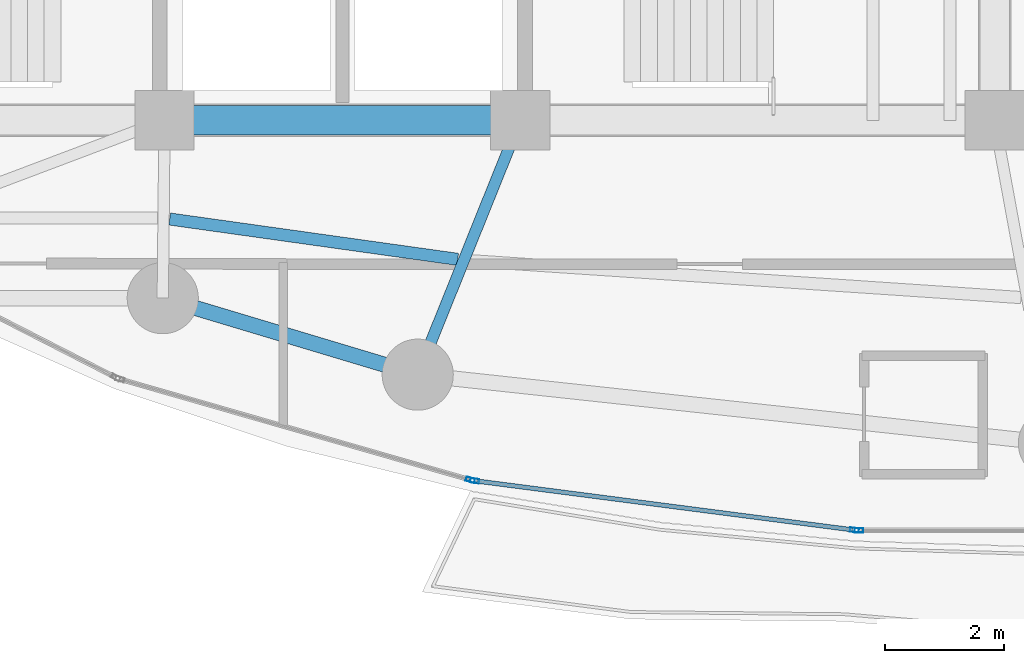
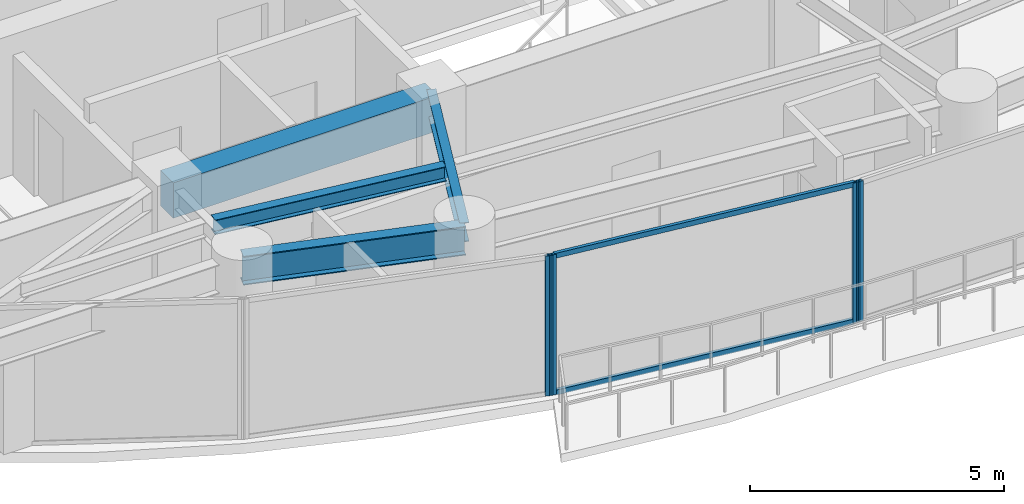
# One storey, part 5 of 28: 6 members, 4 beams, 3 elements without a shape of their own.
"""IFC4 building model written with IfcOpenShell, lengths in metres."""

from ifc_helpers import new_model, si_unit, direction, frame, origin, origin_2d, place, context, subcontext, project, spatial, rectangle, hollow_rectangle, i_section, extrude, material, layer, layer_set, material_profile, profile_set, type_object, element, aggregate, save


model = new_model("IFC4")

# Units and contexts
model_context = context("Model", 3, precision=1e-05, world=origin(), true_north=direction((0.0, 1.0)))
body_context = subcontext(model_context, "Body", "Model", "MODEL_VIEW")
ifc_project = project(units=[si_unit("LENGTHUNIT", "METRE"), si_unit("AREAUNIT", "SQUARE_METRE"), si_unit("VOLUMEUNIT", "CUBIC_METRE"), si_unit("PLANEANGLEUNIT", "RADIAN"), si_unit("MASSUNIT", "GRAM", prefix="KILO")], contexts=[model_context])

# Site, building, storey
site_placement = place(None, origin())
site = spatial("IfcSite", under=ifc_project, at=site_placement, CompositionType="ELEMENT")
building_placement = place(site_placement, origin())
building = spatial("IfcBuilding", under=site, at=building_placement, Name="Kazevale Care Tower and Concert Hall", CompositionType="ELEMENT")
storey_placement = place(building_placement, frame((0.0, 0.0, 106.199951171875)))
storey = spatial("IfcBuildingStorey", under=building, at=storey_placement, Name="L27", CompositionType="ELEMENT", Elevation=106.199951171875)

# Curtain wall, member
ifc_material_1 = material(Name="Aluminium 6063-T6 and Low-E Glass", Category="aluminium")
ifc_layer = layer(ifc_material_1, 0.179931640625)
ifc_layer_set = layer_set([ifc_layer], Name="Aluminium 6063-T6 and Low-E Glass")
curtain_wall_type = type_object("IfcCurtainWallType", Name="Sheltered Concave Balcony Curtain Wall CW-5", PredefinedType="NOTDEFINED", material=ifc_layer_set)
curtain_wall_1_placement = place(storey_placement, origin())
curtain_wall_1 = element("IfcCurtainWall", 1, at=curtain_wall_1_placement, inside=storey, type_object=curtain_wall_type, Name="cw:L27:f06", PredefinedType="NOTDEFINED")
ifc_material_2 = material(Name="Aluminium 6063-T6", Category="aluminium")
ifc_material_profile_1 = material_profile(ifc_material_2, hollow_rectangle(XDim=0.074951171875, YDim=0.14990234375, WallThickness=0.00390625, at=origin_2d()), Name="ALU75x150x4")
ifc_profile_set_1 = profile_set([ifc_material_profile_1], Name="Aluminium 6063-T6")
member_type_1 = type_object("IfcMemberType", Name="CW-5 Mullion ALU75x150x4", PredefinedType="MULLION", material=ifc_profile_set_1)
member_1_placement = place(storey_placement, frame((41.71240234375, 16.68408203125, 0.0), z_axis=(0.0, 0.0, 1.0), x_axis=(0.0, -1.0, 0.0)))
member_1 = element("IfcMember", 2, at=member_1_placement, type_object=member_type_1, Name="CW-5 mullion 2", PredefinedType="MULLION", context=body_context, shape_type="SweptSolid", body=[
    extrude(hollow_rectangle(XDim=0.074951171875, YDim=0.14990234375, WallThickness=0.00390625, at=origin_2d()), origin(), (0.0, 0.0, 1.0), 3.360107421875),
])
aggregate(curtain_wall_1, [member_1])

# Curtain wall, members
curtain_wall_2_placement = place(storey_placement, origin())
curtain_wall_2 = element("IfcCurtainWall", 3, at=curtain_wall_2_placement, inside=storey, type_object=curtain_wall_type, Name="cw:L27:f07", PredefinedType="NOTDEFINED")
member_2_placement = place(storey_placement, frame((41.6376953125, 16.688720703125, 0.0), z_axis=(0.0, 0.0, 1.0), x_axis=(-0.12868500567, -0.991685519364, 0.0)))
member_2 = element("IfcMember", 4, at=member_2_placement, type_object=member_type_1, Name="CW-5 mullion 1", PredefinedType="MULLION", context=body_context, shape_type="SweptSolid", body=[
    extrude(hollow_rectangle(XDim=0.074951171875, YDim=0.14990234375, WallThickness=0.00390625, at=origin_2d()), origin(), (0.0, 0.0, 1.0), 3.360107421875),
])
member_3_placement = place(storey_placement, frame((35.231201171875, 17.520263671875, 0.0), z_axis=(0.0, 0.0, 1.0), x_axis=(-0.12868500567, -0.991685519364, 0.0)))
member_3 = element("IfcMember", 5, at=member_3_placement, type_object=member_type_1, Name="CW-5 mullion 2", PredefinedType="MULLION", context=body_context, shape_type="SweptSolid", body=[
    extrude(hollow_rectangle(XDim=0.074951171875, YDim=0.14990234375, WallThickness=0.00390625, at=origin_2d()), origin(), (0.0, 0.0, 1.0), 3.360107421875),
])

# Curtain wall, member
curtain_wall_3_placement = place(storey_placement, origin())
curtain_wall_3 = element("IfcCurtainWall", 6, at=curtain_wall_3_placement, inside=storey, type_object=curtain_wall_type, Name="cw:L27:f08", PredefinedType="NOTDEFINED")
member_4_placement = place(storey_placement, frame((35.157958984375, 17.535400390625, 0.0), z_axis=(0.0, 0.0, 1.0), x_axis=(-0.276290733172, -0.961074102639, 0.0)))
member_4 = element("IfcMember", 7, at=member_4_placement, type_object=member_type_1, Name="CW-5 mullion 1", PredefinedType="MULLION", context=body_context, shape_type="SweptSolid", body=[
    extrude(hollow_rectangle(XDim=0.074951171875, YDim=0.14990234375, WallThickness=0.00390625, at=origin_2d()), origin(), (0.0, 0.0, 1.0), 3.360107421875),
])
aggregate(curtain_wall_3, [member_4])

# Member
ifc_material_profile_2 = material_profile(ifc_material_2, hollow_rectangle(XDim=0.074951171875, YDim=0.1201171875, WallThickness=0.00390625, at=origin_2d()), Name="ALU75x120x4")
ifc_profile_set_2 = profile_set([ifc_material_profile_2], Name="Aluminium 6063-T6")
member_type_2 = type_object("IfcMemberType", Name="CW-5 Transom ALU75x120x4", PredefinedType="USERDEFINED", material=ifc_profile_set_2)
member_5_placement = place(storey_placement, frame((41.6005859375, 16.693603515625, 0.03759765625), z_axis=(-0.991683991743, 0.12869677743, 0.0), x_axis=(-0.12869677743, -0.991683991743, 0.0)))
member_5 = element("IfcMember", 8, at=member_5_placement, type_object=member_type_2, Name="CW-5 transom 1.1", ObjectType="TRANSOM", PredefinedType="USERDEFINED", context=body_context, shape_type="SweptSolid", body=[
    extrude(hollow_rectangle(XDim=0.074951171875, YDim=0.1201171875, WallThickness=0.00390625, at=origin_2d()), origin(), (0.0, 0.0, 1.0), 6.385498046875),
])

member_6_placement = place(storey_placement, frame((41.6005859375, 16.693603515625, 3.322509765625), z_axis=(-0.991683991743, 0.12869677743, 0.0), x_axis=(-0.12869677743, -0.991683991743, 0.0)))
member_6 = element("IfcMember", 9, at=member_6_placement, type_object=member_type_2, Name="CW-5 transom 1.2", ObjectType="TRANSOM", PredefinedType="USERDEFINED", context=body_context, shape_type="SweptSolid", body=[
    extrude(hollow_rectangle(XDim=0.074951171875, YDim=0.1201171875, WallThickness=0.00390625, at=origin_2d()), origin(), (0.0, 0.0, 1.0), 6.385498046875),
])

aggregate(curtain_wall_2, [member_2, member_3, member_5, member_6])

# Beams
ifc_material_3 = material(Name="Concrete C60", Category="concrete")
ifc_material_profile_3 = material_profile(ifc_material_3, rectangle(XDim=0.5, YDim=0.85009765625, at=origin_2d()), Name="RC-B500x850")
ifc_profile_set_3 = profile_set([ifc_material_profile_3], Name="Concrete C60")
beam_type_1 = type_object("IfcBeamType", Name="Core Coupling Beam RC500x850", PredefinedType="LINTEL", material=ifc_profile_set_3)
beam_1_placement = place(storey_placement, frame((30.0, 23.60009765625, 2.93505859375), z_axis=(1.0, 0.0, 0.0), x_axis=(0.0, 1.0, 0.0)))
element("IfcBeam", 10, at=beam_1_placement, inside=storey, type_object=beam_type_1, Name="beam:L27:coretie:2", PredefinedType="LINTEL", context=body_context, shape_type="SweptSolid", body=[
    extrude(rectangle(XDim=0.5, YDim=0.85009765625, at=origin_2d()), origin(), (0.0, 0.0, 1.0), 6.0),
])
ifc_material_4 = material(Name="Steel ASTM A572 Gr 50", Category="steel")
ifc_material_profile_4 = material_profile(ifc_material_4, i_section(OverallWidth=0.19091796875, OverallDepth=0.4599609375, WebThickness=0.010009765625, FlangeThickness=0.01611328125, at=origin_2d()), Name="W460x82")
ifc_profile_set_4 = profile_set([ifc_material_profile_4], Name="Steel ASTM A572 Gr 50")
beam_type_2 = type_object("IfcBeamType", Name="Radial Floor Beam W460x82", PredefinedType="BEAM", material=ifc_profile_set_4)
beam_2_placement = place(storey_placement, frame((36.0, 23.60009765625, 3.130126953125), z_axis=(-0.373991766452, -0.927432023722, 0.0), x_axis=(0.927432023722, -0.373991766452, 0.0)))
element("IfcBeam", 11, at=beam_2_placement, inside=storey, type_object=beam_type_2, Name="beam:L27:rad:12", PredefinedType="BEAM", context=body_context, shape_type="SweptSolid", body=[
    extrude(i_section(OverallWidth=0.19091796875, OverallDepth=0.4599609375, WebThickness=0.010009765625, FlangeThickness=0.01611328125, at=origin_2d()), origin(), (0.0, 0.0, 1.0), 4.625732421875),
])
ifc_material_profile_5 = material_profile(ifc_material_4, i_section(OverallWidth=0.205078125, OverallDepth=0.35400390625, WebThickness=0.009521484375, FlangeThickness=0.016845703125, at=origin_2d()), Name="W360x79")
ifc_profile_set_5 = profile_set([ifc_material_profile_5], Name="Steel ASTM A572 Gr 50")
beam_type_3 = type_object("IfcBeamType", Name="Secondary Floor Joist W360x79", PredefinedType="JOIST", material=ifc_profile_set_5)
beam_3_placement = place(storey_placement, frame((30.0869140625, 21.93505859375, 3.18310546875), z_axis=(0.990340789942, -0.138654678164, 0.0), x_axis=(0.138654678164, 0.990340789942, 0.0)))
element("IfcBeam", 12, at=beam_3_placement, inside=storey, type_object=beam_type_3, Name="beam:L27:joist:11", PredefinedType="JOIST", context=body_context, shape_type="SweptSolid", body=[
    extrude(i_section(OverallWidth=0.205078125, OverallDepth=0.35400390625, WebThickness=0.009521484375, FlangeThickness=0.016845703125, at=origin_2d()), origin(), (0.0, 0.0, 1.0), 4.905517578125),
])
ifc_material_profile_6 = material_profile(ifc_material_4, i_section(OverallWidth=0.256103515625, OverallDepth=0.693115234375, WebThickness=0.014404296875, FlangeThickness=0.023681640625, at=origin_2d()), Name="W690x170")
ifc_profile_set_6 = profile_set([ifc_material_profile_6], Name="Steel ASTM A572 Gr 50")
beam_type_4 = type_object("IfcBeamType", Name="Waist Ring Beam W690x170", PredefinedType="BEAM", material=ifc_profile_set_6)
beam_4_placement = place(storey_placement, frame((29.969970703125, 20.60009765625, 3.013427734375), z_axis=(0.957824788464, -0.287352874709, 0.0), x_axis=(0.287352874709, 0.957824788464, 0.0)))
element("IfcBeam", 13, at=beam_4_placement, inside=storey, type_object=beam_type_4, Name="beam:L27:ring:11", PredefinedType="BEAM", context=body_context, shape_type="SweptSolid", body=[
    extrude(i_section(OverallWidth=0.256103515625, OverallDepth=0.693115234375, WebThickness=0.014404296875, FlangeThickness=0.023681640625, at=origin_2d()), origin(), (0.0, 0.0, 1.0), 4.489501953125),
])

save(model, "model.ifc")
